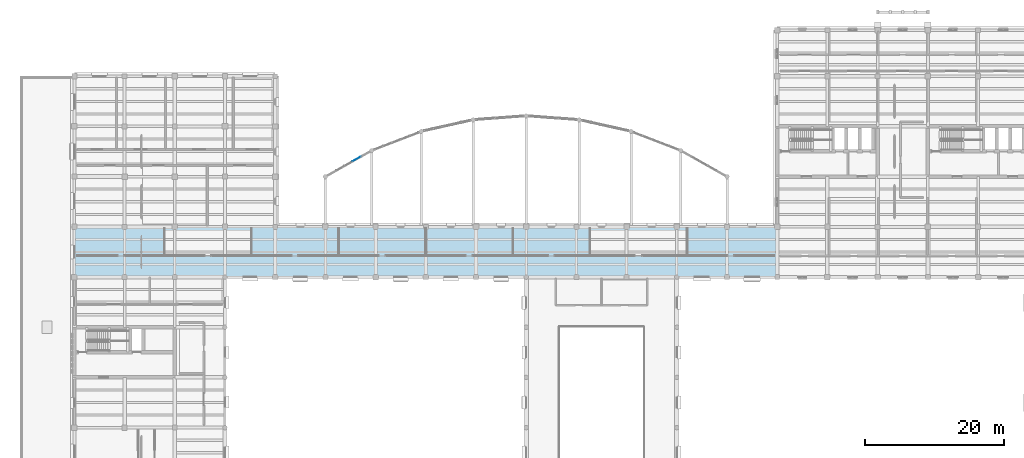
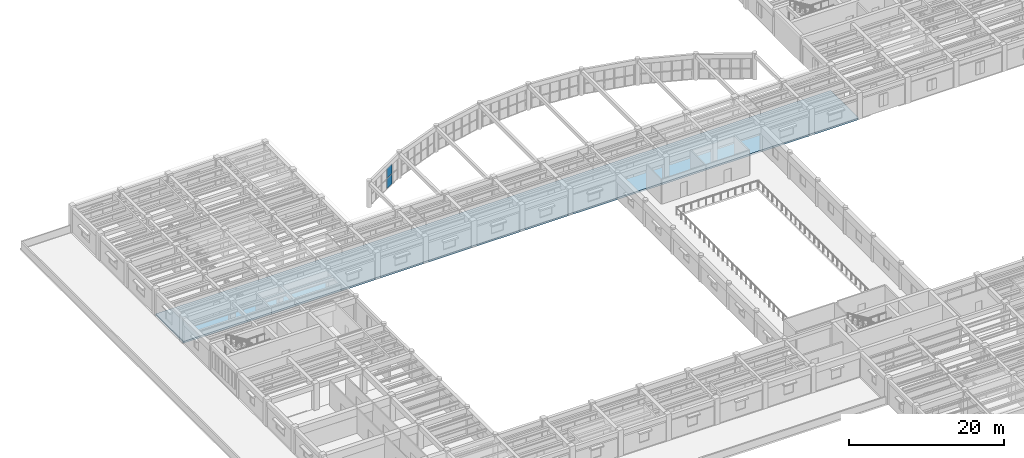
# One storey, part 40 of 76: 2 plates, 1 slab, 1 element without a shape of its own.
"""IFC4 building model written with IfcOpenShell, lengths in metres."""

from ifc_helpers import new_model, si_unit, direction, frame, origin, origin_2d, place, context, subcontext, project, spatial, polyline, rectangle, outline, extrude, material, layer, layer_set, type_object, element, aggregate, save


model = new_model("IFC4")

# Units and contexts
model_context = context("Model", 3, precision=1e-05, world=origin(), true_north=direction((0.0, 1.0)))
body_context = subcontext(model_context, "Body", "Model", "MODEL_VIEW")
ifc_project = project(units=[si_unit("LENGTHUNIT", "METRE"), si_unit("AREAUNIT", "SQUARE_METRE"), si_unit("VOLUMEUNIT", "CUBIC_METRE"), si_unit("PLANEANGLEUNIT", "RADIAN"), si_unit("MASSUNIT", "GRAM", prefix="KILO")], contexts=[model_context])

# Site, building, storey
site_placement = place(None, origin())
site = spatial("IfcSite", under=ifc_project, at=site_placement, CompositionType="ELEMENT")
building_placement = place(site_placement, origin())
building = spatial("IfcBuilding", under=site, at=building_placement, Name="Mithqara Police Headquarters", CompositionType="ELEMENT")
storey_placement = place(building_placement, frame((0.0, 0.0, 5.39990234375)))
storey = spatial("IfcBuildingStorey", under=building, at=storey_placement, Name="L01", CompositionType="ELEMENT", Elevation=5.39990234375)

# Curtain wall, plates
ifc_material_1 = material(Name="Bronze anodised aluminium 6063-T6", Category="aluminium")
curtain_wall_type = type_object("IfcCurtainWallType", Name="CURTAIN WALL 6875X3300", PredefinedType="USERDEFINED", material=ifc_material_1)
curtain_wall_placement = place(storey_placement, origin())
curtain_wall = element("IfcCurtainWall", 1, at=curtain_wall_placement, inside=storey, type_object=curtain_wall_type, Name="L01 Unitised Glazing CW-12 (CW-ARC-L01-00-0)", ObjectType="UNITISED GLAZING", PredefinedType="USERDEFINED")
ifc_material_2 = material(Name="Spectrally selective double low-e glass", Category="glass")
ifc_layer_1 = layer(ifc_material_2, 0.028076171875, Name="Spectrally selective double low-e glass")
ifc_layer_set_1 = layer_set([ifc_layer_1], Name="Spectrally selective double low-e glass")
plate_type = type_object("IfcPlateType", Name="CWPANEL GLASS28", PredefinedType="CURTAIN_PANEL", material=ifc_layer_set_1)
plate_1_placement = place(storey_placement, frame((48.317626953125, 95.54833984375, 0.06494140625), z_axis=(0.0, 0.0, 1.0), x_axis=(0.870985969427, 0.491307888255, 0.0)))
plate_1 = element("IfcPlate", 2, at=plate_1_placement, type_object=plate_type, Name="CW-12 panel 4.1", PredefinedType="CURTAIN_PANEL", context=body_context, shape_type="SweptSolid", body=[
    extrude(rectangle(XDim=1.309814453125, YDim=0.028076171875, at=origin_2d()), origin(), (0.0, 0.0, 1.0), 1.552490234375),
])
plate_2_placement = place(storey_placement, frame((48.317626953125, 95.54833984375, 1.6826171875), z_axis=(0.0, 0.0, 1.0), x_axis=(0.870985969427, 0.491307888255, 0.0)))
plate_2 = element("IfcPlate", 3, at=plate_2_placement, type_object=plate_type, Name="CW-12 panel 4.2", PredefinedType="CURTAIN_PANEL", context=body_context, shape_type="SweptSolid", body=[
    extrude(rectangle(XDim=1.309814453125, YDim=0.028076171875, at=origin_2d()), origin(), (0.0, 0.0, 1.0), 1.552490234375),
])
aggregate(curtain_wall, [plate_1, plate_2])

# Slab
ifc_material_3 = material(Name="Concrete C40/50", Category="concrete")
ifc_layer_2 = layer(ifc_material_3, 0.280029296875, Name="Concrete C40/50")
ifc_layer_set_2 = layer_set([ifc_layer_2], Name="Concrete C40/50")
slab_type = type_object("IfcSlabType", Name="FLOOR SLAB 280", PredefinedType="FLOOR", material=ifc_layer_set_2)
slab_placement = place(storey_placement, frame((0.0, 0.0, -0.27978515625)))
element("IfcSlab", 4, at=slab_placement, inside=storey, type_object=slab_type, Name="L01 Structural Slab L01-V4A", PredefinedType="FLOOR", context=body_context, shape_type="SweptSolid", body=[
    extrude(outline(polyline([(108.60009765625, 78.60009765625), (7.800048828125, 78.60009765625), (7.800048828125, 85.800048828125), (9.60009765625, 85.800048828125), (13.800048828125, 85.800048828125), (36.60009765625, 85.800048828125), (108.60009765625, 85.800048828125), (108.60009765625, 78.60009765625)])), origin(), (0.0, 0.0, 1.0), 0.27978515625),
])

save(model, "model.ifc")
